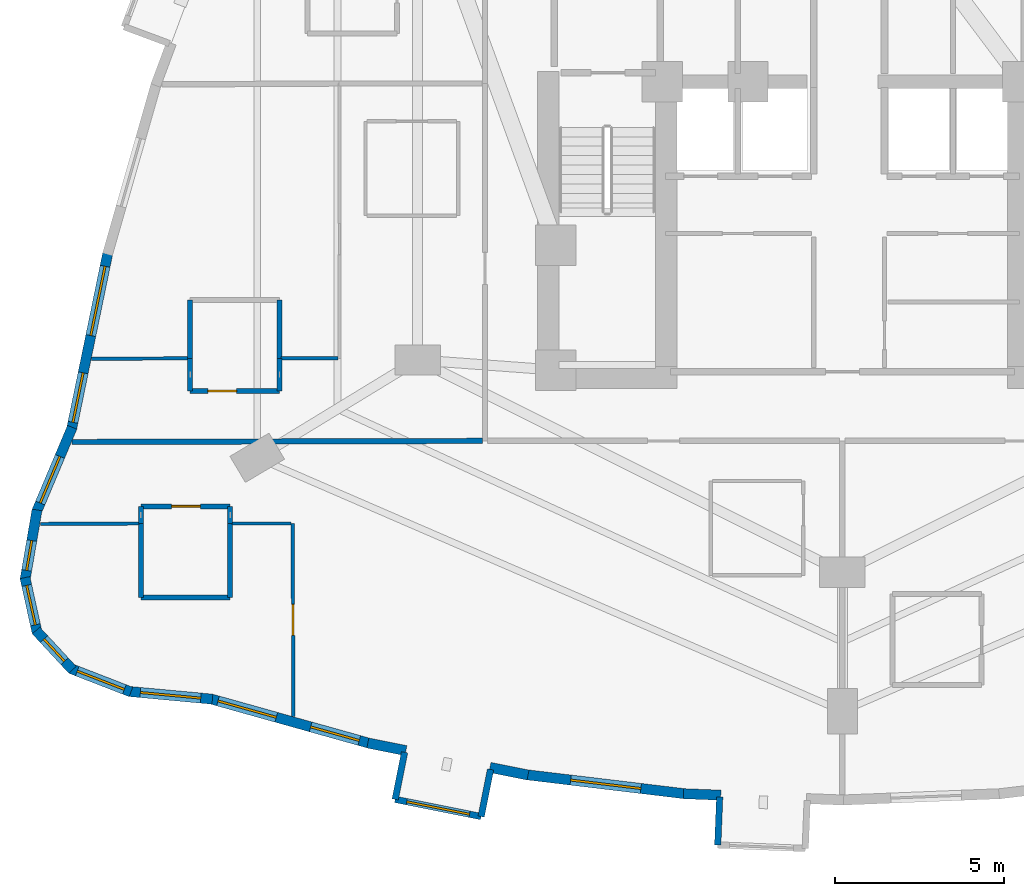
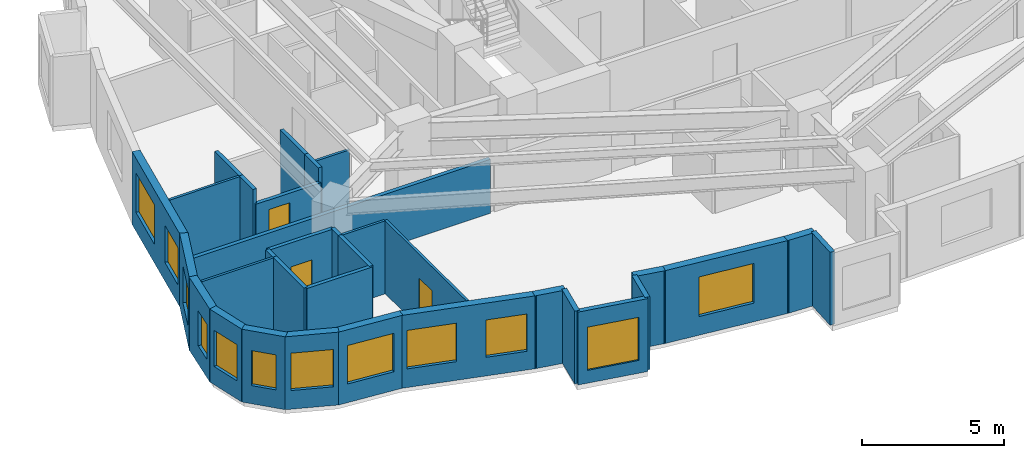
# One storey, part 6 of 13: 33 walls, 12 windows, 3 doors, 15 openings.
"""IFC4 building model written with IfcOpenShell, lengths in metres."""

from ifc_helpers import new_model, si_unit, direction, frame, frame_2d, origin, place, context, subcontext, project, spatial, rectangle, extrude, material, layer, layer_set, type_object, element, fill, save


model = new_model("IFC4")

# Units and contexts
model_context = context("Model", 3, precision=1e-05, world=origin(), true_north=direction((0.0, 1.0)))
body_context = subcontext(model_context, "Body", "Model", "MODEL_VIEW")
ifc_project = project(units=[si_unit("LENGTHUNIT", "METRE"), si_unit("AREAUNIT", "SQUARE_METRE"), si_unit("VOLUMEUNIT", "CUBIC_METRE"), si_unit("PLANEANGLEUNIT", "RADIAN"), si_unit("MASSUNIT", "GRAM", prefix="KILO")], contexts=[model_context])

# Site, building, storey
site_placement = place(None, origin())
site = spatial("IfcSite", under=ifc_project, at=site_placement, CompositionType="ELEMENT")
building_placement = place(site_placement, origin())
building = spatial("IfcBuilding", under=site, at=building_placement, Name="Miruveldt Soraemaru", CompositionType="ELEMENT")
storey_placement = place(building_placement, frame((0.0, 0.0, 76.800048828125)))
storey = spatial("IfcBuildingStorey", under=building, at=storey_placement, Name="L21", CompositionType="ELEMENT", Elevation=76.800048828125)

# Walls
ifc_material_1 = material(Name="White powder-coated aluminium EN AW-6060 T6", Category="aluminium")
ifc_layer_1 = layer(ifc_material_1, 0.18994140625, Name="White powder-coated aluminium EN AW-6060 T6", Category="aluminium")
ifc_layer_set_1 = layer_set([ifc_layer_1], Name="White powder-coated aluminium EN AW-6060 T6")
wall_type_1 = type_object("IfcWallType", Name="WALL-BAY-ALU190", PredefinedType="SOLIDWALL", material=ifc_layer_set_1)
for number, where, z_axis, x_axis, name in (
    (1, (31.0146484375, 24.165771484375, 0.0), (0.0, 0.0, 1.0), (-0.196149079112, -0.980574086321, 0.0), "L21 Bay Window Side Cheek 3L"),
    (2, (33.28466796875, 22.25830078125, 0.0), (0.0, 0.0, 1.0), (0.196149079112, 0.980574086321, 0.0), "L21 Bay Window Side Cheek 3R"),
):
    element("IfcWall", number, at=place(storey_placement, frame(where, z_axis=z_axis, x_axis=x_axis)), inside=storey, type_object=wall_type_1, Name=name, PredefinedType="SOLIDWALL", context=body_context, shape_type="SweptSolid", body=[
        extrude(rectangle(XDim=1.425048828125, YDim=0.18994140625, at=frame_2d((0.71240234375, 0.0))), origin(), (0.0, 0.0, 1.0), 3.125),
    ])

# Wall, opening, window
wall_1_placement = place(storey_placement, frame((30.735107421875, 22.768310546875, 0.0), z_axis=(0.0, 0.0, 1.0), x_axis=(0.980573452128, -0.196152249497, 0.0)))
wall_1 = element("IfcWall", 3, at=wall_1_placement, inside=storey, type_object=wall_type_1, Name="L21 Bay Window Front Frame 3", PredefinedType="SOLIDWALL", context=body_context, shape_type="SweptSolid", body=[
    extrude(rectangle(XDim=2.60009765625, YDim=0.18994140625, at=frame_2d((1.300048828125, 0.0))), origin(), (0.0, 0.0, 1.0), 3.125),
])
opening_1_placement = place(wall_1_placement, frame((0.35009765625, 0.0, 0.550048828125)))
opening_1 = element("IfcOpeningElement", 4, at=opening_1_placement, cuts=wall_1, Name="Opening WN-6", PredefinedType="OPENING", context=body_context, shape_type="SweptSolid", body=[
    extrude(rectangle(XDim=1.89990234375, YDim=1.85009765625, at=frame_2d((0.949951171875, 0.925048828125))), frame((0.0, 0.10498046875, 0.0), z_axis=(0.0, -1.0, 0.0), x_axis=(1.0, 0.0, 0.0)), (0.0, 0.0, 1.0), 0.2099609375),
])
ifc_material_2 = material(Name="Triple low-e insulated glazing", Category="glass")
window_type_1 = type_object("IfcWindowType", Name="WIN-BAYW-1900x1850", PartitioningType="SINGLE_PANEL", PredefinedType="WINDOW", material=ifc_material_2)
window_1_placement = place(opening_1_placement, origin())
window_1 = element("IfcWindow", 5, at=window_1_placement, inside=storey, type_object=window_type_1, Name="L21 Projecting Bay Window 3", OverallHeight=1.85009765625, OverallWidth=1.89990234375, PartitioningType="SINGLE_PANEL", PredefinedType="WINDOW", context=body_context, shape_type="SweptSolid", body=[
    extrude(rectangle(XDim=1.89990234375, YDim=1.85009765625, at=frame_2d((0.949951171875, 0.925048828125))), frame((0.0, 0.030029296875, 0.0), z_axis=(0.0, -1.0, 0.0), x_axis=(1.0, 0.0, 0.0)), (0.0, 0.0, 1.0), 0.06005859375),
])
fill(opening_1, window_1)

# Wall
wall_2_placement = place(storey_placement, frame((40.35888671875, 22.83837890625, 0.0), z_axis=(0.0, 0.0, 1.0), x_axis=(-0.039920142234, -0.999202873417, 0.0)))
element("IfcWall", 6, at=wall_2_placement, inside=storey, type_object=wall_type_1, Name="L21 Bay Window Side Cheek 4L", PredefinedType="SOLIDWALL", context=body_context, shape_type="SweptSolid", body=[
    extrude(rectangle(XDim=1.425048828125, YDim=0.18994140625, at=frame_2d((0.71240234375, 0.0))), origin(), (0.0, 0.0, 1.0), 3.125),
])

# Wall, openings, windows
ifc_material_3 = material(Name="Precast concrete C45/55 (45 MPa)", Category="concrete")
ifc_layer_2 = layer(ifc_material_3, 0.300048828125, Name="Precast concrete C45/55 (45 MPa)", Category="concrete")
ifc_layer_set_2 = layer_set([ifc_layer_2], Name="Precast concrete C45/55 (45 MPa)")
wall_type_2 = type_object("IfcWallType", Name="WALL-EXT-PC300", PredefinedType="SOLIDWALL", material=ifc_layer_set_2)
wall_3_placement = place(storey_placement, frame((22.2177734375, 39.000244140625, 0.0), z_axis=(0.0, 0.0, 1.0), x_axis=(-0.201547797841, -0.979478680312, 0.0)))
wall_3 = element("IfcWall", 7, at=wall_3_placement, inside=storey, type_object=wall_type_2, Name="L21 Precast Concrete Facade Wall 14", PredefinedType="SOLIDWALL", context=body_context, shape_type="SweptSolid", body=[
    extrude(rectangle(XDim=5.37353515625, YDim=0.300048828125, at=frame_2d((2.686767578125, 0.0))), origin(), (0.0, 0.0, 1.0), 3.125),
])
opening_2_placement = place(wall_3_placement, frame((0.429931640625, 0.0, 0.800048828125)))
opening_2 = element("IfcOpeningElement", 8, at=opening_2_placement, cuts=wall_3, Name="Opening WN-1", PredefinedType="OPENING", context=body_context, shape_type="SweptSolid", body=[
    extrude(rectangle(XDim=2.10009765625, YDim=1.699951171875, at=frame_2d((1.050048828125, 0.85009765625))), frame((0.0, 0.16015625, 0.0), z_axis=(0.0, -1.0, 0.0), x_axis=(1.0, 0.0, 0.0)), (0.0, 0.0, 1.0), 0.320068359375),
])
opening_3_placement = place(wall_3_placement, frame((3.656005859375, 0.0, 0.800048828125)))
opening_3 = element("IfcOpeningElement", 9, at=opening_3_placement, cuts=wall_3, Name="Opening WN-3", PredefinedType="OPENING", context=body_context, shape_type="SweptSolid", body=[
    extrude(rectangle(XDim=1.5, YDim=1.60009765625, at=frame_2d((0.75, 0.800048828125))), frame((0.0, 0.16015625, 0.0), z_axis=(0.0, -1.0, 0.0), x_axis=(1.0, 0.0, 0.0)), (0.0, 0.0, 1.0), 0.320068359375),
])
window_type_2 = type_object("IfcWindowType", Name="WIN-PUNCH-1500x1600", PartitioningType="SINGLE_PANEL", PredefinedType="WINDOW", material=ifc_material_2)
window_2_placement = place(opening_3_placement, origin())
window_2 = element("IfcWindow", 10, at=window_2_placement, inside=storey, type_object=window_type_2, Name="L21 Punched Triple-Glazed Window 14.2", OverallHeight=1.60009765625, OverallWidth=1.5, PartitioningType="SINGLE_PANEL", PredefinedType="WINDOW", context=body_context, shape_type="SweptSolid", body=[
    extrude(rectangle(XDim=1.5, YDim=1.60009765625, at=frame_2d((0.75, 0.800048828125))), frame((0.0, 0.030029296875, 0.0), z_axis=(0.0, -1.0, 0.0), x_axis=(1.0, 0.0, 0.0)), (0.0, 0.0, 1.0), 0.06005859375),
])
fill(opening_3, window_2)
window_type_3 = type_object("IfcWindowType", Name="WIN-PUNCH-2100x1700", PartitioningType="SINGLE_PANEL", PredefinedType="WINDOW", material=ifc_material_2)
window_3_placement = place(opening_2_placement, origin())
window_3 = element("IfcWindow", 11, at=window_3_placement, inside=storey, type_object=window_type_3, Name="L21 Punched Triple-Glazed Window 14.1", OverallHeight=1.699951171875, OverallWidth=2.10009765625, PartitioningType="SINGLE_PANEL", PredefinedType="WINDOW", context=body_context, shape_type="SweptSolid", body=[
    extrude(rectangle(XDim=2.10009765625, YDim=1.699951171875, at=frame_2d((1.050048828125, 0.85009765625))), frame((0.0, 0.030029296875, 0.0), z_axis=(0.0, -1.0, 0.0), x_axis=(1.0, 0.0, 0.0)), (0.0, 0.0, 1.0), 0.06005859375),
])
fill(opening_2, window_3)

# Wall, opening, window
wall_4_placement = place(storey_placement, frame((21.155517578125, 33.8037109375, 0.0), z_axis=(0.0, 0.0, 1.0), x_axis=(-0.388672061396, -0.921376160257, 0.0)))
wall_4 = element("IfcWall", 12, at=wall_4_placement, inside=storey, type_object=wall_type_2, Name="L21 Precast Concrete Facade Wall 15", PredefinedType="SOLIDWALL", context=body_context, shape_type="SweptSolid", body=[
    extrude(rectangle(XDim=2.732421875, YDim=0.300048828125, at=frame_2d((1.3662109375, 0.0))), origin(), (0.0, 0.0, 1.0), 3.125),
])
opening_4_placement = place(wall_4_placement, frame((0.93798828125, 0.0, 0.800048828125)))
opening_4 = element("IfcOpeningElement", 13, at=opening_4_placement, cuts=wall_4, Name="Opening WN-3", PredefinedType="OPENING", context=body_context, shape_type="SweptSolid", body=[
    extrude(rectangle(XDim=1.5, YDim=1.60009765625, at=frame_2d((0.75, 0.800048828125))), frame((0.0, 0.16015625, 0.0), z_axis=(0.0, -1.0, 0.0), x_axis=(1.0, 0.0, 0.0)), (0.0, 0.0, 1.0), 0.320068359375),
])
window_4_placement = place(opening_4_placement, origin())
window_4 = element("IfcWindow", 14, at=window_4_placement, inside=storey, type_object=window_type_2, Name="L21 Punched Triple-Glazed Window 15.1", OverallHeight=1.60009765625, OverallWidth=1.5, PartitioningType="SINGLE_PANEL", PredefinedType="WINDOW", context=body_context, shape_type="SweptSolid", body=[
    extrude(rectangle(XDim=1.5, YDim=1.60009765625, at=frame_2d((0.75, 0.800048828125))), frame((0.0, 0.030029296875, 0.0), z_axis=(0.0, -1.0, 0.0), x_axis=(1.0, 0.0, 0.0)), (0.0, 0.0, 1.0), 0.06005859375),
])
fill(opening_4, window_4)

wall_5_placement = place(storey_placement, frame((20.113037109375, 31.352783203125, 0.0), z_axis=(0.0, 0.0, 1.0), x_axis=(-0.169320859901, -0.98556098056, 0.0)))
wall_5 = element("IfcWall", 15, at=wall_5_placement, inside=storey, type_object=wall_type_2, Name="L21 Precast Concrete Facade Wall 16", PredefinedType="SOLIDWALL", context=body_context, shape_type="SweptSolid", body=[
    extrude(rectangle(XDim=2.106689453125, YDim=0.300048828125, at=frame_2d((1.05322265625, 0.0))), origin(), (0.0, 0.0, 1.0), 3.125),
])
opening_5_placement = place(wall_5_placement, frame((0.9208984375, 0.0, 0.780029296875)))
opening_5 = element("IfcOpeningElement", 16, at=opening_5_placement, cuts=wall_5, Name="Opening WN-7", PredefinedType="OPENING", context=body_context, shape_type="SweptSolid", body=[
    extrude(rectangle(XDim=0.89990234375, YDim=1.5, at=frame_2d((0.449951171875, 0.75))), frame((0.0, 0.16015625, 0.0), z_axis=(0.0, -1.0, 0.0), x_axis=(1.0, 0.0, 0.0)), (0.0, 0.0, 1.0), 0.320068359375),
])
window_type_4 = type_object("IfcWindowType", Name="WIN-PUNCH-900x1500", PartitioningType="SINGLE_PANEL", PredefinedType="WINDOW", material=ifc_material_2)
window_5_placement = place(opening_5_placement, origin())
window_5 = element("IfcWindow", 17, at=window_5_placement, inside=storey, type_object=window_type_4, Name="L21 Punched Triple-Glazed Window 16.1", OverallHeight=1.5, OverallWidth=0.89990234375, PartitioningType="SINGLE_PANEL", PredefinedType="WINDOW", context=body_context, shape_type="SweptSolid", body=[
    extrude(rectangle(XDim=0.89990234375, YDim=1.5, at=frame_2d((0.449951171875, 0.75))), frame((0.0, 0.030029296875, 0.0), z_axis=(0.0, -1.0, 0.0), x_axis=(1.0, 0.0, 0.0)), (0.0, 0.0, 1.0), 0.06005859375),
])
fill(opening_5, window_5)

wall_6_placement = place(storey_placement, frame((19.754638671875, 29.345458984375, 0.0), z_axis=(0.0, 0.0, 1.0), x_axis=(0.215768638569, -0.976444516913, 0.0)))
wall_6 = element("IfcWall", 18, at=wall_6_placement, inside=storey, type_object=wall_type_2, Name="L21 Precast Concrete Facade Wall 17", PredefinedType="SOLIDWALL", context=body_context, shape_type="SweptSolid", body=[
    extrude(rectangle(XDim=1.6689453125, YDim=0.300048828125, at=frame_2d((0.83447265625, 0.0))), origin(), (0.0, 0.0, 1.0), 3.125),
])
opening_6_placement = place(wall_6_placement, frame((0.235107421875, 0.0, 0.780029296875)))
opening_6 = element("IfcOpeningElement", 19, at=opening_6_placement, cuts=wall_6, Name="Opening WN-4", PredefinedType="OPENING", context=body_context, shape_type="SweptSolid", body=[
    extrude(rectangle(XDim=1.199951171875, YDim=1.550048828125, at=frame_2d((0.60009765625, 0.77490234375))), frame((0.0, 0.16015625, 0.0), z_axis=(0.0, -1.0, 0.0), x_axis=(1.0, 0.0, 0.0)), (0.0, 0.0, 1.0), 0.320068359375),
])
window_type_5 = type_object("IfcWindowType", Name="WIN-PUNCH-1200x1550", PartitioningType="SINGLE_PANEL", PredefinedType="WINDOW", material=ifc_material_2)
window_6_placement = place(opening_6_placement, origin())
window_6 = element("IfcWindow", 20, at=window_6_placement, inside=storey, type_object=window_type_5, Name="L21 Punched Triple-Glazed Window 17.1", OverallHeight=1.550048828125, OverallWidth=1.199951171875, PartitioningType="SINGLE_PANEL", PredefinedType="WINDOW", context=body_context, shape_type="SweptSolid", body=[
    extrude(rectangle(XDim=1.199951171875, YDim=1.550048828125, at=frame_2d((0.60009765625, 0.77490234375))), frame((0.0, 0.030029296875, 0.0), z_axis=(0.0, -1.0, 0.0), x_axis=(1.0, 0.0, 0.0)), (0.0, 0.0, 1.0), 0.06005859375),
])
fill(opening_6, window_6)

wall_7_placement = place(storey_placement, frame((20.083251953125, 27.77587890625, 0.0), z_axis=(0.0, 0.0, 1.0), x_axis=(0.680145025321, -0.733077584251, 0.0)))
wall_7 = element("IfcWall", 21, at=wall_7_placement, inside=storey, type_object=wall_type_2, Name="L21 Precast Concrete Facade Wall 18", PredefinedType="SOLIDWALL", context=body_context, shape_type="SweptSolid", body=[
    extrude(rectangle(XDim=1.59130859375, YDim=0.300048828125, at=frame_2d((0.795654296875, 0.0))), origin(), (0.0, 0.0, 1.0), 3.125),
])
opening_7_placement = place(wall_7_placement, frame((0.344970703125, 0.0, 0.780029296875)))
opening_7 = element("IfcOpeningElement", 22, at=opening_7_placement, cuts=wall_7, Name="Opening WN-7", PredefinedType="OPENING", context=body_context, shape_type="SweptSolid", body=[
    extrude(rectangle(XDim=0.89990234375, YDim=1.5, at=frame_2d((0.449951171875, 0.75))), frame((0.0, 0.16015625, 0.0), z_axis=(0.0, -1.0, 0.0), x_axis=(1.0, 0.0, 0.0)), (0.0, 0.0, 1.0), 0.320068359375),
])
window_7_placement = place(opening_7_placement, origin())
window_7 = element("IfcWindow", 23, at=window_7_placement, inside=storey, type_object=window_type_4, Name="L21 Punched Triple-Glazed Window 18.1", OverallHeight=1.5, OverallWidth=0.89990234375, PartitioningType="SINGLE_PANEL", PredefinedType="WINDOW", context=body_context, shape_type="SweptSolid", body=[
    extrude(rectangle(XDim=0.89990234375, YDim=1.5, at=frame_2d((0.449951171875, 0.75))), frame((0.0, 0.030029296875, 0.0), z_axis=(0.0, -1.0, 0.0), x_axis=(1.0, 0.0, 0.0)), (0.0, 0.0, 1.0), 0.06005859375),
])
fill(opening_7, window_7)

wall_8_placement = place(storey_placement, frame((21.109130859375, 26.647705078125, 0.0), z_axis=(0.0, 0.0, 1.0), x_axis=(0.93228604446, -0.361721897741, 0.0)))
wall_8 = element("IfcWall", 24, at=wall_8_placement, inside=storey, type_object=wall_type_2, Name="L21 Precast Concrete Facade Wall 19", PredefinedType="SOLIDWALL", context=body_context, shape_type="SweptSolid", body=[
    extrude(rectangle(XDim=1.91943359375, YDim=0.300048828125, at=frame_2d((0.959716796875, 0.0))), origin(), (0.0, 0.0, 1.0), 3.125),
])
opening_8_placement = place(wall_8_placement, frame((0.2099609375, 0.0, 0.800048828125)))
opening_8 = element("IfcOpeningElement", 25, at=opening_8_placement, cuts=wall_8, Name="Opening WN-3", PredefinedType="OPENING", context=body_context, shape_type="SweptSolid", body=[
    extrude(rectangle(XDim=1.5, YDim=1.60009765625, at=frame_2d((0.75, 0.800048828125))), frame((0.0, 0.16015625, 0.0), z_axis=(0.0, -1.0, 0.0), x_axis=(1.0, 0.0, 0.0)), (0.0, 0.0, 1.0), 0.320068359375),
])
window_8_placement = place(opening_8_placement, origin())
window_8 = element("IfcWindow", 26, at=window_8_placement, inside=storey, type_object=window_type_2, Name="L21 Punched Triple-Glazed Window 19.1", OverallHeight=1.60009765625, OverallWidth=1.5, PartitioningType="SINGLE_PANEL", PredefinedType="WINDOW", context=body_context, shape_type="SweptSolid", body=[
    extrude(rectangle(XDim=1.5, YDim=1.60009765625, at=frame_2d((0.75, 0.800048828125))), frame((0.0, 0.030029296875, 0.0), z_axis=(0.0, -1.0, 0.0), x_axis=(1.0, 0.0, 0.0)), (0.0, 0.0, 1.0), 0.06005859375),
])
fill(opening_8, window_8)

wall_9_placement = place(storey_placement, frame((22.831298828125, 25.96923828125, 0.0), z_axis=(0.0, 0.0, 1.0), x_axis=(0.995758957766, -0.09200053276, 0.0)))
wall_9 = element("IfcWall", 27, at=wall_9_placement, inside=storey, type_object=wall_type_2, Name="L21 Precast Concrete Facade Wall 20", PredefinedType="SOLIDWALL", context=body_context, shape_type="SweptSolid", body=[
    extrude(rectangle(XDim=2.494384765625, YDim=0.300048828125, at=frame_2d((1.2470703125, 0.0))), origin(), (0.0, 0.0, 1.0), 3.125),
])
opening_9_placement = place(wall_9_placement, frame((0.347900390625, 0.0, 0.800048828125)))
opening_9 = element("IfcOpeningElement", 28, at=opening_9_placement, cuts=wall_9, Name="Opening WN-2", PredefinedType="OPENING", context=body_context, shape_type="SweptSolid", body=[
    extrude(rectangle(XDim=1.800048828125, YDim=1.64990234375, at=frame_2d((0.89990234375, 0.824951171875))), frame((0.0, 0.16015625, 0.0), z_axis=(0.0, -1.0, 0.0), x_axis=(1.0, 0.0, 0.0)), (0.0, 0.0, 1.0), 0.320068359375),
])
window_type_6 = type_object("IfcWindowType", Name="WIN-PUNCH-1800x1650", PartitioningType="SINGLE_PANEL", PredefinedType="WINDOW", material=ifc_material_2)
window_9_placement = place(opening_9_placement, origin())
window_9 = element("IfcWindow", 29, at=window_9_placement, inside=storey, type_object=window_type_6, Name="L21 Punched Triple-Glazed Window 20.1", OverallHeight=1.64990234375, OverallWidth=1.800048828125, PartitioningType="SINGLE_PANEL", PredefinedType="WINDOW", context=body_context, shape_type="SweptSolid", body=[
    extrude(rectangle(XDim=1.800048828125, YDim=1.64990234375, at=frame_2d((0.89990234375, 0.824951171875))), frame((0.0, 0.030029296875, 0.0), z_axis=(0.0, -1.0, 0.0), x_axis=(1.0, 0.0, 0.0)), (0.0, 0.0, 1.0), 0.06005859375),
])
fill(opening_9, window_9)

# Wall, openings, windows
wall_10_placement = place(storey_placement, frame((25.24658203125, 25.75244140625, 0.0), z_axis=(0.0, 0.0, 1.0), x_axis=(0.962958876285, -0.269648294234, 0.0)))
wall_10 = element("IfcWall", 30, at=wall_10_placement, inside=storey, type_object=wall_type_2, Name="L21 Precast Concrete Facade Wall 21", PredefinedType="SOLIDWALL", context=body_context, shape_type="SweptSolid", body=[
    extrude(rectangle(XDim=4.929931640625, YDim=0.300048828125, at=frame_2d((2.46484375, 0.0))), origin(), (0.0, 0.0, 1.0), 3.125),
])
opening_10_placement = place(wall_10_placement, frame((0.239990234375, 0.0, 0.800048828125)))
opening_10 = element("IfcOpeningElement", 31, at=opening_10_placement, cuts=wall_10, Name="Opening WN-2", PredefinedType="OPENING", context=body_context, shape_type="SweptSolid", body=[
    extrude(rectangle(XDim=1.800048828125, YDim=1.64990234375, at=frame_2d((0.89990234375, 0.824951171875))), frame((0.0, 0.16015625, 0.0), z_axis=(0.0, -1.0, 0.0), x_axis=(1.0, 0.0, 0.0)), (0.0, 0.0, 1.0), 0.320068359375),
])
opening_11_placement = place(wall_10_placement, frame((3.094970703125, 0.0, 0.800048828125)))
opening_11 = element("IfcOpeningElement", 32, at=opening_11_placement, cuts=wall_10, Name="Opening WN-3", PredefinedType="OPENING", context=body_context, shape_type="SweptSolid", body=[
    extrude(rectangle(XDim=1.5, YDim=1.60009765625, at=frame_2d((0.75, 0.800048828125))), frame((0.0, 0.16015625, 0.0), z_axis=(0.0, -1.0, 0.0), x_axis=(1.0, 0.0, 0.0)), (0.0, 0.0, 1.0), 0.320068359375),
])
window_10_placement = place(opening_11_placement, origin())
window_10 = element("IfcWindow", 33, at=window_10_placement, inside=storey, type_object=window_type_2, Name="L21 Punched Triple-Glazed Window 21.2", OverallHeight=1.60009765625, OverallWidth=1.5, PartitioningType="SINGLE_PANEL", PredefinedType="WINDOW", context=body_context, shape_type="SweptSolid", body=[
    extrude(rectangle(XDim=1.5, YDim=1.60009765625, at=frame_2d((0.75, 0.800048828125))), frame((0.0, 0.030029296875, 0.0), z_axis=(0.0, -1.0, 0.0), x_axis=(1.0, 0.0, 0.0)), (0.0, 0.0, 1.0), 0.06005859375),
])
fill(opening_11, window_10)
window_11_placement = place(opening_10_placement, origin())
window_11 = element("IfcWindow", 34, at=window_11_placement, inside=storey, type_object=window_type_6, Name="L21 Punched Triple-Glazed Window 21.1", OverallHeight=1.64990234375, OverallWidth=1.800048828125, PartitioningType="SINGLE_PANEL", PredefinedType="WINDOW", context=body_context, shape_type="SweptSolid", body=[
    extrude(rectangle(XDim=1.800048828125, YDim=1.64990234375, at=frame_2d((0.89990234375, 0.824951171875))), frame((0.0, 0.030029296875, 0.0), z_axis=(0.0, -1.0, 0.0), x_axis=(1.0, 0.0, 0.0)), (0.0, 0.0, 1.0), 0.06005859375),
])
fill(opening_10, window_11)

# Walls
for number, where, z_axis, x_axis, name in (
    (35, (29.926025390625, 24.439453125, 0.0), (0.0, 0.0, 1.0), (0.98057251863, -0.196156916032, 0.0), "L21 Precast Pier Wall 22A"),
    (36, (33.545654296875, 23.715576171875, 0.0), (0.0, 0.0, 1.0), (0.98057251863, -0.196156916032, 0.0), "L21 Precast Pier Wall 22B"),
):
    element("IfcWall", number, at=place(storey_placement, frame(where, z_axis=z_axis, x_axis=x_axis)), inside=storey, type_object=wall_type_2, Name=name, PredefinedType="SOLIDWALL", context=body_context, shape_type="SweptSolid", body=[
        extrude(rectangle(XDim=1.1513671875, YDim=0.300048828125, at=frame_2d((0.57568359375, 0.0))), origin(), (0.0, 0.0, 1.0), 3.125),
    ])

# Wall, opening, window
wall_11_placement = place(storey_placement, frame((34.60546875, 23.500732421875, 0.0), z_axis=(0.0, 0.0, 1.0), x_axis=(0.992879736211, -0.119121070439, 0.0)))
wall_11 = element("IfcWall", 37, at=wall_11_placement, inside=storey, type_object=wall_type_2, Name="L21 Precast Concrete Facade Wall 23", PredefinedType="SOLIDWALL", context=body_context, shape_type="SweptSolid", body=[
    extrude(rectangle(XDim=4.78369140625, YDim=0.300048828125, at=frame_2d((2.391845703125, 0.0))), origin(), (0.0, 0.0, 1.0), 3.125),
])
opening_12_placement = place(wall_11_placement, frame((1.342041015625, 0.0, 0.800048828125)))
opening_12 = element("IfcOpeningElement", 38, at=opening_12_placement, cuts=wall_11, Name="Opening WN-1", PredefinedType="OPENING", context=body_context, shape_type="SweptSolid", body=[
    extrude(rectangle(XDim=2.10009765625, YDim=1.699951171875, at=frame_2d((1.050048828125, 0.85009765625))), frame((0.0, 0.16015625, 0.0), z_axis=(0.0, -1.0, 0.0), x_axis=(1.0, 0.0, 0.0)), (0.0, 0.0, 1.0), 0.320068359375),
])
window_12_placement = place(opening_12_placement, origin())
window_12 = element("IfcWindow", 39, at=window_12_placement, inside=storey, type_object=window_type_3, Name="L21 Punched Triple-Glazed Window 23.1", OverallHeight=1.699951171875, OverallWidth=2.10009765625, PartitioningType="SINGLE_PANEL", PredefinedType="WINDOW", context=body_context, shape_type="SweptSolid", body=[
    extrude(rectangle(XDim=2.10009765625, YDim=1.699951171875, at=frame_2d((1.050048828125, 0.85009765625))), frame((0.0, 0.030029296875, 0.0), z_axis=(0.0, -1.0, 0.0), x_axis=(1.0, 0.0, 0.0)), (0.0, 0.0, 1.0), 0.06005859375),
])
fill(opening_12, window_12)

# Wall
wall_12_placement = place(storey_placement, frame((39.28515625, 22.936279296875, 0.0), z_axis=(0.0, 0.0, 1.0), x_axis=(0.999202719529, -0.039923993871, 0.0)))
element("IfcWall", 40, at=wall_12_placement, inside=storey, type_object=wall_type_2, Name="L21 Precast Pier Wall 24A", PredefinedType="SOLIDWALL", context=body_context, shape_type="SweptSolid", body=[
    extrude(rectangle(XDim=1.10693359375, YDim=0.300048828125, at=frame_2d((0.553466796875, 0.0))), origin(), (0.0, 0.0, 1.0), 3.125),
])

# Wall, opening, door
ifc_material_4 = material(Name="Gypsum plasterboard lining", Category="gypsum")
ifc_layer_3 = layer(ifc_material_4, 0.10009765625, Name="Gypsum plasterboard lining", Category="gypsum")
ifc_layer_set_3 = layer_set([ifc_layer_3], Name="Gypsum plasterboard lining")
wall_type_3 = type_object("IfcWallType", Name="WALL-INT-P100", PredefinedType="PARTITIONING", material=ifc_layer_set_3)
wall_13_placement = place(storey_placement, frame((27.694091796875, 30.949951171875, 0.0), z_axis=(0.0, 0.0, 1.0), x_axis=(0.004013459841, -0.999991946038, 0.0)))
wall_13 = element("IfcWall", 41, at=wall_13_placement, inside=storey, type_object=wall_type_3, Name="L21 Partition Wall 91", PredefinedType="PARTITIONING", context=body_context, shape_type="SweptSolid", body=[
    extrude(rectangle(XDim=5.718017578125, YDim=0.10009765625, at=frame_2d((2.85888671875, 0.0))), origin(), (0.0, 0.0, 1.0), 3.125),
])
opening_13_placement = place(wall_13_placement, frame((2.39892578125, 0.0, 0.0)))
opening_13 = element("IfcOpeningElement", 42, at=opening_13_placement, cuts=wall_13, Name="Opening D3A", PredefinedType="OPENING", context=body_context, shape_type="SweptSolid", body=[
    extrude(rectangle(XDim=0.919921875, YDim=2.10009765625, at=frame_2d((0.4599609375, 1.050048828125))), frame((0.0, 0.06005859375, 0.0), z_axis=(0.0, -1.0, 0.0), x_axis=(1.0, 0.0, 0.0)), (0.0, 0.0, 1.0), 0.1201171875),
])
ifc_material_5 = material(Name="Anodised aluminium EN AW-6063 T6", Category="aluminium")
door_type_1 = type_object("IfcDoorType", Name="DOOR-INT-920", OperationType="NOTDEFINED", PredefinedType="DOOR", material=ifc_material_5)
door_1_placement = place(opening_13_placement, origin())
door_1 = element("IfcDoor", 43, at=door_1_placement, inside=storey, type_object=door_type_1, Name="L21 Unit 2107 BD1 Door", OperationType="SINGLE_SWING_LEFT", OverallHeight=2.10009765625, OverallWidth=0.919921875, PredefinedType="DOOR", context=body_context, shape_type="SweptSolid", body=[
    extrude(rectangle(XDim=0.919921875, YDim=2.10009765625, at=frame_2d((0.4599609375, 1.050048828125))), frame((0.0, 0.02490234375, 0.0), z_axis=(0.0, -1.0, 0.0), x_axis=(1.0, 0.0, 0.0)), (0.0, 0.0, 1.0), 0.050048828125),
])
fill(opening_13, door_1)

# Walls
wall_14_placement = place(storey_placement, frame((20.208984375, 30.93603515625, 0.0), z_axis=(0.0, 0.0, 1.0), x_axis=(0.999988745217, 0.004744411393, 0.0)))
element("IfcWall", 44, at=wall_14_placement, inside=storey, type_object=wall_type_3, Name="L21 Partition Wall 89", PredefinedType="PARTITIONING", context=body_context, shape_type="SweptSolid", body=[
    extrude(rectangle(XDim=2.93310546875, YDim=0.10009765625, at=frame_2d((1.466552734375, 0.0))), origin(), (0.0, 0.0, 1.0), 3.125),
])
wall_15_placement = place(storey_placement, frame((24.60498046875, 35.85009765625, 0.0), z_axis=(0.0, 0.0, 1.0), x_axis=(-0.999982285051, -0.005952275506, 0.0)))
element("IfcWall", 45, at=wall_15_placement, inside=storey, type_object=wall_type_3, Name="L21 Partition Wall 50", PredefinedType="PARTITIONING", context=body_context, shape_type="SweptSolid", body=[
    extrude(rectangle(XDim=2.87109375, YDim=0.10009765625, at=frame_2d((1.435546875, 0.0))), origin(), (0.0, 0.0, 1.0), 3.125),
])
wall_16_placement = place(storey_placement, frame((25.89208984375, 30.949951171875, 0.0), z_axis=(0.0, 0.0, 1.0), x_axis=(1.0, 0.0, 0.0)))
element("IfcWall", 46, at=wall_16_placement, inside=storey, type_object=wall_type_3, Name="L21 Partition Wall 90", PredefinedType="PARTITIONING", context=body_context, shape_type="SweptSolid", body=[
    extrude(rectangle(XDim=1.751953125, YDim=0.10009765625, at=frame_2d((0.8759765625, 0.0))), origin(), (0.0, 0.0, 1.0), 3.125),
])
wall_17_placement = place(storey_placement, frame((29.034912109375, 35.85009765625, 0.0), z_axis=(0.0, 0.0, 1.0), x_axis=(-1.0, 0.0, 0.0)))
element("IfcWall", 47, at=wall_17_placement, inside=storey, type_object=wall_type_3, Name="L21 Partition Wall 49", PredefinedType="PARTITIONING", context=body_context, shape_type="SweptSolid", body=[
    extrude(rectangle(XDim=1.679931640625, YDim=0.10009765625, at=frame_2d((0.83984375, 0.0))), origin(), (0.0, 0.0, 1.0), 2.712890625),
])

# Wall, opening, door
ifc_layer_4 = layer(ifc_material_4, 0.14990234375, Name="Gypsum plasterboard lining", Category="gypsum")
ifc_layer_set_4 = layer_set([ifc_layer_4], Name="Gypsum plasterboard lining")
wall_type_4 = type_object("IfcWallType", Name="WALL-INT-PLUMB", PredefinedType="PLUMBINGWALL", material=ifc_layer_set_4)
wall_18_placement = place(storey_placement, frame((24.655029296875, 34.8798828125, 0.0), z_axis=(0.0, 0.0, 1.0), x_axis=(1.0, 0.0, 0.0)))
wall_18 = element("IfcWall", 48, at=wall_18_placement, inside=storey, type_object=wall_type_4, Name="L21 Partition Wall 43", PredefinedType="PLUMBINGWALL", context=body_context, shape_type="SweptSolid", body=[
    extrude(rectangle(XDim=2.64990234375, YDim=0.14990234375, at=frame_2d((1.324951171875, 0.0))), origin(), (0.0, 0.0, 1.0), 2.512939453125),
])
opening_14_placement = place(wall_18_placement, frame((0.52490234375, 0.0, 0.0)))
opening_14 = element("IfcOpeningElement", 49, at=opening_14_placement, cuts=wall_18, Name="Opening FD3", PredefinedType="OPENING", context=body_context, shape_type="SweptSolid", body=[
    extrude(rectangle(XDim=0.85009765625, YDim=2.10009765625, at=frame_2d((0.425048828125, 1.050048828125))), frame((0.0, 0.0849609375, 0.0), z_axis=(0.0, -1.0, 0.0), x_axis=(1.0, 0.0, 0.0)), (0.0, 0.0, 1.0), 0.169921875),
])
door_type_2 = type_object("IfcDoorType", Name="DOOR-FD3-850", OperationType="NOTDEFINED", PredefinedType="DOOR", material=ifc_material_5)
door_2_placement = place(opening_14_placement, origin())
door_2 = element("IfcDoor", 50, at=door_2_placement, inside=storey, type_object=door_type_2, Name="L21 Unit 2103 BTH Door", OperationType="SINGLE_SWING_RIGHT", OverallHeight=2.10009765625, OverallWidth=0.85009765625, PredefinedType="DOOR", context=body_context, shape_type="SweptSolid", body=[
    extrude(rectangle(XDim=0.85009765625, YDim=2.10009765625, at=frame_2d((0.425048828125, 1.050048828125))), frame((0.0, 0.02490234375, 0.0), z_axis=(0.0, -1.0, 0.0), x_axis=(1.0, 0.0, 0.0)), (0.0, 0.0, 1.0), 0.050048828125),
])
fill(opening_14, door_2)

wall_19_placement = place(storey_placement, frame((25.842041015625, 31.4599609375, 0.0), z_axis=(0.0, 0.0, 1.0), x_axis=(-1.0, 0.0, 0.0)))
wall_19 = element("IfcWall", 51, at=wall_19_placement, inside=storey, type_object=wall_type_4, Name="L21 Partition Wall 83", PredefinedType="PLUMBINGWALL", context=body_context, shape_type="SweptSolid", body=[
    extrude(rectangle(XDim=2.650146484375, YDim=0.14990234375, at=frame_2d((1.3251953125, 0.0))), origin(), (0.0, 0.0, 1.0), 3.125),
])
opening_15_placement = place(wall_19_placement, frame((0.885009765625, 0.0, 0.0)))
opening_15 = element("IfcOpeningElement", 52, at=opening_15_placement, cuts=wall_19, Name="Opening FD3", PredefinedType="OPENING", context=body_context, shape_type="SweptSolid", body=[
    extrude(rectangle(XDim=0.85009765625, YDim=2.10009765625, at=frame_2d((0.425048828125, 1.050048828125))), frame((0.0, 0.0849609375, 0.0), z_axis=(0.0, -1.0, 0.0), x_axis=(1.0, 0.0, 0.0)), (0.0, 0.0, 1.0), 0.169921875),
])
door_3_placement = place(opening_15_placement, origin())
door_3 = element("IfcDoor", 53, at=door_3_placement, inside=storey, type_object=door_type_2, Name="L21 Unit 2107 BTH Door", OperationType="SINGLE_SWING_LEFT", OverallHeight=2.10009765625, OverallWidth=0.85009765625, PredefinedType="DOOR", context=body_context, shape_type="SweptSolid", body=[
    extrude(rectangle(XDim=0.85009765625, YDim=2.10009765625, at=frame_2d((0.425048828125, 1.050048828125))), frame((0.0, 0.02490234375, 0.0), z_axis=(0.0, -1.0, 0.0), x_axis=(1.0, 0.0, 0.0)), (0.0, 0.0, 1.0), 0.050048828125),
])
fill(opening_15, door_3)

# Walls
wall_20_placement = place(storey_placement, frame((23.19189453125, 28.760009765625, 0.0), z_axis=(0.0, 0.0, 1.0), x_axis=(1.0, 0.0, 0.0)))
element("IfcWall", 54, at=wall_20_placement, inside=storey, type_object=wall_type_4, Name="L21 Partition Wall 94", PredefinedType="PLUMBINGWALL", context=body_context, shape_type="SweptSolid", body=[
    extrude(rectangle(XDim=2.650146484375, YDim=0.14990234375, at=frame_2d((1.3251953125, 0.0))), origin(), (0.0, 0.0, 1.0), 3.125),
])
for number, where, z_axis, x_axis, name in (
    (55, (23.19189453125, 30.949951171875, 0.0), (0.0, 0.0, 1.0), (0.0, -1.0, 0.0), "L21 Partition Wall 93"),
    (56, (25.842041015625, 28.760009765625, 0.0), (0.0, 0.0, 1.0), (0.0, 1.0, 0.0), "L21 Partition Wall 95"),
):
    element("IfcWall", number, at=place(storey_placement, frame(where, z_axis=z_axis, x_axis=x_axis)), inside=storey, type_object=wall_type_4, Name=name, PredefinedType="PLUMBINGWALL", context=body_context, shape_type="SweptSolid", body=[
        extrude(rectangle(XDim=2.18994140625, YDim=0.14990234375, at=frame_2d((1.094970703125, 0.0))), origin(), (0.0, 0.0, 1.0), 3.125),
    ])
for number, where, z_axis, x_axis, name in (
    (57, (27.304931640625, 35.85009765625, 0.0), (0.0, 0.0, 1.0), (0.0, 1.0, 0.0), "L21 Partition Wall 53"),
    (58, (24.655029296875, 37.580078125, 0.0), (0.0, 0.0, 1.0), (0.0, -1.0, 0.0), "L21 Partition Wall 55"),
):
    element("IfcWall", number, at=place(storey_placement, frame(where, z_axis=z_axis, x_axis=x_axis)), inside=storey, type_object=wall_type_4, Name=name, PredefinedType="PLUMBINGWALL", context=body_context, shape_type="SweptSolid", body=[
        extrude(rectangle(XDim=1.72998046875, YDim=0.14990234375, at=frame_2d((0.864990234375, 0.0))), origin(), (0.0, 0.0, 1.0), 3.125),
    ])
for number, where, z_axis, x_axis, name in (
    (59, (27.304931640625, 34.8798828125, 0.0), (0.0, 0.0, 1.0), (0.0, 1.0, 0.0), "L21 Partition Wall 41"),
    (60, (24.655029296875, 35.85009765625, 0.0), (0.0, 0.0, 1.0), (0.0, -1.0, 0.0), "L21 Partition Wall 42"),
):
    element("IfcWall", number, at=place(storey_placement, frame(where, z_axis=z_axis, x_axis=x_axis)), inside=storey, type_object=wall_type_4, Name=name, PredefinedType="PLUMBINGWALL", context=body_context, shape_type="SweptSolid", body=[
        extrude(rectangle(XDim=0.97021484375, YDim=0.14990234375, at=frame_2d((0.485107421875, 0.0))), origin(), (0.0, 0.0, 1.0), 3.125),
    ])
for number, where, z_axis, x_axis, name in (
    (61, (25.842041015625, 30.949951171875, 0.0), (0.0, 0.0, 1.0), (0.0, 1.0, 0.0), "L21 Partition Wall 82"),
    (62, (23.19189453125, 31.4599609375, 0.0), (0.0, 0.0, 1.0), (0.0, -1.0, 0.0), "L21 Partition Wall 84"),
):
    element("IfcWall", number, at=place(storey_placement, frame(where, z_axis=z_axis, x_axis=x_axis)), inside=storey, type_object=wall_type_4, Name=name, PredefinedType="PLUMBINGWALL", context=body_context, shape_type="SweptSolid", body=[
        extrude(rectangle(XDim=0.510009765625, YDim=0.14990234375, at=frame_2d((0.2548828125, 0.0))), origin(), (0.0, 0.0, 1.0), 3.125),
    ])
ifc_material_6 = material(Name="Concrete C40/50 (40 MPa)", Category="concrete")
ifc_layer_5 = layer(ifc_material_6, 0.159912109375, Name="Concrete C40/50 (40 MPa)", Category="concrete")
ifc_layer_set_5 = layer_set([ifc_layer_5], Name="Concrete C40/50 (40 MPa)")
wall_type_5 = type_object("IfcWallType", Name="WALL-INT-RC160", PredefinedType="SOLIDWALL", material=ifc_layer_set_5)
wall_21_placement = place(storey_placement, frame((21.14990234375, 33.366943359375, 0.0), z_axis=(0.0, 0.0, 1.0), x_axis=(0.999996332904, 0.002708168769, 0.0)))
element("IfcWall", 63, at=wall_21_placement, inside=storey, type_object=wall_type_5, Name="L21 Partition Wall 52", PredefinedType="SOLIDWALL", context=body_context, shape_type="SweptSolid", body=[
    extrude(rectangle(XDim=12.170166015625, YDim=0.159912109375, at=frame_2d((6.0849609375, 0.0))), origin(), (0.0, 0.0, 1.0), 2.31298828125),
])

save(model, "model.ifc")
